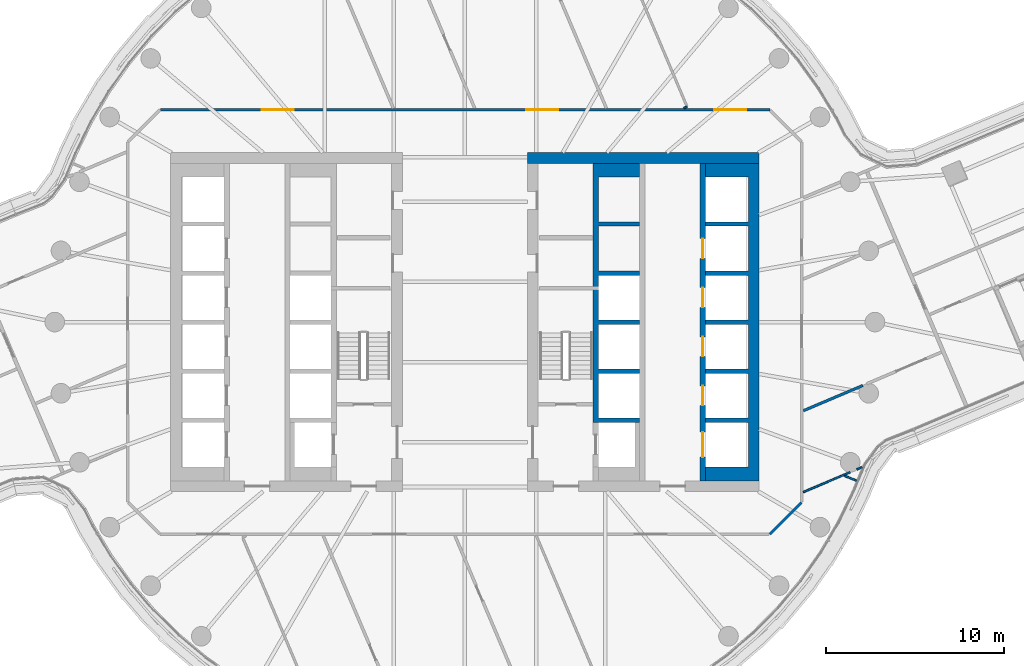
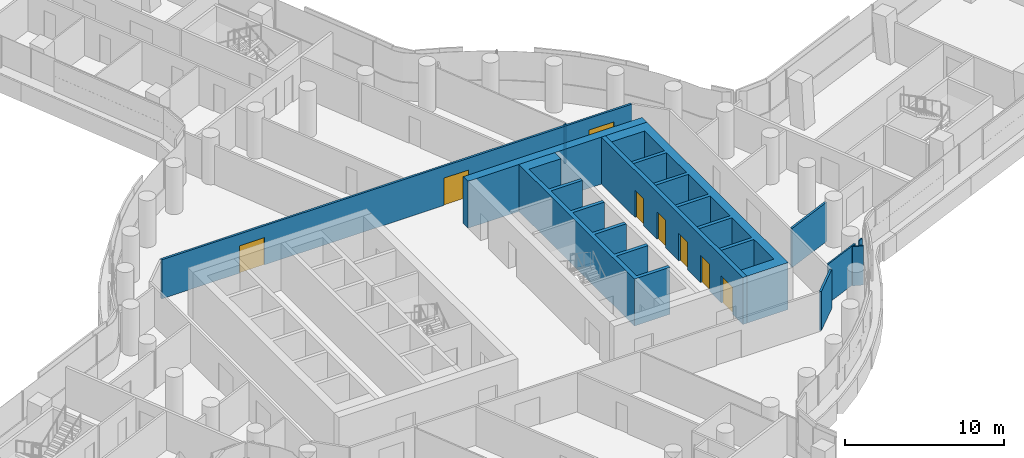
# One storey, part 24 of 35: 11 walls, 8 doors, 8 openings.
"""IFC4 building model written with IfcOpenShell, lengths in metres."""

from ifc_helpers import new_model, si_unit, direction, frame, frame_2d, origin, place, context, subcontext, project, spatial, polyline, rectangle, outline, extrude, material, layer, layer_set, type_object, element, fill, save


model = new_model("IFC4")

# Units and contexts
model_context = context("Model", 3, precision=1e-05, world=origin(), true_north=direction((0.0, 1.0)))
body_context = subcontext(model_context, "Body", "Model", "MODEL_VIEW")
ifc_project = project(units=[si_unit("LENGTHUNIT", "METRE"), si_unit("AREAUNIT", "SQUARE_METRE"), si_unit("VOLUMEUNIT", "CUBIC_METRE"), si_unit("PLANEANGLEUNIT", "RADIAN"), si_unit("MASSUNIT", "GRAM", prefix="KILO")], contexts=[model_context])

# Site, building, storey
site_placement = place(None, origin())
site = spatial("IfcSite", under=ifc_project, at=site_placement, CompositionType="ELEMENT")
building_placement = place(site_placement, origin())
building = spatial("IfcBuilding", under=site, at=building_placement, Name="Tamarind Cross Interchange Tower", CompositionType="ELEMENT")
storey_placement = place(building_placement, frame((0.0, 0.0, 117.25)))
storey = spatial("IfcBuildingStorey", under=building, at=storey_placement, Name="L28", CompositionType="ELEMENT", Elevation=117.25)

# Walls
ifc_material_1 = material(Name="Concrete C70", Category="concrete")
ifc_layer_1 = layer(ifc_material_1, 0.60009765625)
ifc_layer_set_1 = layer_set([ifc_layer_1], Name="Concrete C70")
wall_type_1 = type_object("IfcWallType", Name="Core wall 600 mm Concrete C70", PredefinedType="SHEAR", material=ifc_layer_set_1)
wall_1_placement = place(storey_placement, origin())
element("IfcWall", 1, at=wall_1_placement, inside=storey, type_object=wall_type_1, Name="Core wall CWL-L28-E-A", PredefinedType="SHEAR", context=body_context, shape_type="SweptSolid", body=[
    extrude(outline(polyline([(13.5, -8.89990234375), (15.89990234375, -8.89990234375), (16.5, -8.89990234375), (16.5, 8.89990234375), (15.89990234375, 8.89990234375), (13.5, 8.89990234375), (13.5, 8.125), (15.89990234375, 8.125), (15.89990234375, 5.625), (13.5, 5.625), (13.5, 5.375), (15.89990234375, 5.375), (15.89990234375, 2.875), (13.5, 2.875), (13.5, 2.625), (15.89990234375, 2.625), (15.89990234375, 0.125), (13.5, 0.125), (13.5, -0.125), (15.89990234375, -0.125), (15.89990234375, -2.625), (13.5, -2.625), (13.5, -2.875), (15.89990234375, -2.875), (15.89990234375, -5.375), (13.5, -5.375), (13.5, -5.625), (15.89990234375, -5.625), (15.89990234375, -8.125), (13.5, -8.125), (13.5, -8.89990234375)])), origin(), (0.0, 0.0, 1.0), 3.610107421875),
])
wall_2_placement = place(storey_placement, frame((16.5, 9.199951171875, 0.0), z_axis=(0.0, 0.0, 1.0), x_axis=(-1.0, 0.0, 0.0)))
element("IfcWall", 2, at=wall_2_placement, inside=storey, type_object=wall_type_1, Name="Core wall CWL-L28-E-NE", PredefinedType="SHEAR", context=body_context, shape_type="SweptSolid", body=[
    extrude(rectangle(XDim=13.0, YDim=0.60009765625, at=frame_2d((6.5, 0.0))), origin(), (0.0, 0.0, 1.0), 3.610107421875),
])
ifc_layer_2 = layer(ifc_material_1, 0.300048828125)
ifc_layer_set_2 = layer_set([ifc_layer_2], Name="Concrete C70")
wall_type_2 = type_object("IfcWallType", Name="Core web wall 300 mm Concrete C70", PredefinedType="SHEAR", material=ifc_layer_set_2)
wall_3_placement = place(storey_placement, origin())
element("IfcWall", 3, at=wall_3_placement, inside=storey, type_object=wall_type_2, Name="Core wall CWL-L28-E-BN", PredefinedType="SHEAR", context=body_context, shape_type="SweptSolid", body=[
    extrude(outline(polyline([(9.800048828125, -5.375), (7.5, -5.375), (7.5, -2.875), (9.800048828125, -2.875), (9.800048828125, -2.625), (7.5, -2.625), (7.5, -0.125), (9.800048828125, -0.125), (9.800048828125, 0.125), (7.5, 0.125), (7.5, 2.625), (9.800048828125, 2.625), (9.800048828125, 2.875), (7.5, 2.875), (7.5, 5.375), (9.800048828125, 5.375), (9.800048828125, 5.625), (7.5, 5.625), (7.5, 8.125), (9.800048828125, 8.125), (9.800048828125, 8.89990234375), (7.5, 8.89990234375), (7.199951171875, 8.89990234375), (7.199951171875, -5.625), (7.5, -5.625), (9.800048828125, -5.625), (9.800048828125, -5.375)])), origin(), (0.0, 0.0, 1.0), 3.610107421875),
])

# Wall, openings, doors
wall_4_placement = place(storey_placement, frame((13.35009765625, -8.89990234375, 0.0), z_axis=(0.0, 0.0, 1.0), x_axis=(0.0, 1.0, 0.0)))
wall_4 = element("IfcWall", 4, at=wall_4_placement, inside=storey, type_object=wall_type_2, Name="Core wall CWL-L28-E-LA", PredefinedType="SHEAR", context=body_context, shape_type="SweptSolid", body=[
    extrude(rectangle(XDim=17.7998046875, YDim=0.300048828125, at=frame_2d((8.89990234375, 0.0))), origin(), (0.0, 0.0, 1.0), 3.610107421875),
])
opening_1_placement = place(wall_4_placement, frame((1.324951171875, 0.0, 0.0)))
opening_1 = element("IfcOpeningElement", 5, at=opening_1_placement, cuts=wall_4, Name="Opening LD13L28", PredefinedType="OPENING", context=body_context, shape_type="SweptSolid", body=[
    extrude(rectangle(XDim=1.39990234375, YDim=2.10009765625, at=frame_2d((0.699951171875, 1.050048828125))), frame((0.0, 0.159912109375, 0.0), z_axis=(0.0, -1.0, 0.0), x_axis=(1.0, 0.0, 0.0)), (0.0, 0.0, 1.0), 0.320068359375),
])
opening_2_placement = place(wall_4_placement, frame((4.22509765625, 0.0, 0.0)))
opening_2 = element("IfcOpeningElement", 6, at=opening_2_placement, cuts=wall_4, Name="Opening LD14L28", PredefinedType="OPENING", context=body_context, shape_type="SweptSolid", body=[
    extrude(rectangle(XDim=1.10009765625, YDim=2.10009765625, at=frame_2d((0.550048828125, 1.050048828125))), frame((0.0, 0.159912109375, 0.0), z_axis=(0.0, -1.0, 0.0), x_axis=(1.0, 0.0, 0.0)), (0.0, 0.0, 1.0), 0.320068359375),
])
opening_3_placement = place(wall_4_placement, frame((6.97509765625, 0.0, 0.0)))
opening_3 = element("IfcOpeningElement", 7, at=opening_3_placement, cuts=wall_4, Name="Opening LD15L28", PredefinedType="OPENING", context=body_context, shape_type="SweptSolid", body=[
    extrude(rectangle(XDim=1.10009765625, YDim=2.10009765625, at=frame_2d((0.550048828125, 1.050048828125))), frame((0.0, 0.159912109375, 0.0), z_axis=(0.0, -1.0, 0.0), x_axis=(1.0, 0.0, 0.0)), (0.0, 0.0, 1.0), 0.320068359375),
])
opening_4_placement = place(wall_4_placement, frame((9.72509765625, 0.0, 0.0)))
opening_4 = element("IfcOpeningElement", 8, at=opening_4_placement, cuts=wall_4, Name="Opening LD16L28", PredefinedType="OPENING", context=body_context, shape_type="SweptSolid", body=[
    extrude(rectangle(XDim=1.10009765625, YDim=2.10009765625, at=frame_2d((0.550048828125, 1.050048828125))), frame((0.0, 0.159912109375, 0.0), z_axis=(0.0, -1.0, 0.0), x_axis=(1.0, 0.0, 0.0)), (0.0, 0.0, 1.0), 0.320068359375),
])
opening_5_placement = place(wall_4_placement, frame((12.47509765625, 0.0, 0.0)))
opening_5 = element("IfcOpeningElement", 9, at=opening_5_placement, cuts=wall_4, Name="Opening LD17L28", PredefinedType="OPENING", context=body_context, shape_type="SweptSolid", body=[
    extrude(rectangle(XDim=1.10009765625, YDim=2.10009765625, at=frame_2d((0.550048828125, 1.050048828125))), frame((0.0, 0.159912109375, 0.0), z_axis=(0.0, -1.0, 0.0), x_axis=(1.0, 0.0, 0.0)), (0.0, 0.0, 1.0), 0.320068359375),
])
ifc_material_2 = material(Name="Stainless steel panel", Category="steel")
door_type_1 = type_object("IfcDoorType", Name="Lift landing door 1100 x 2100 E 120", OperationType="SLIDING_TO_LEFT", PredefinedType="DOOR", material=ifc_material_2)
door_1_placement = place(opening_2_placement, origin())
door_1 = element("IfcDoor", 10, at=door_1_placement, inside=storey, type_object=door_type_1, Name="L28 landing door LF14", OperationType="SLIDING_TO_LEFT", OverallHeight=2.10009765625, OverallWidth=1.10009765625, PredefinedType="DOOR", context=body_context, shape_type="SweptSolid", body=[
    extrude(rectangle(XDim=1.10009765625, YDim=2.10009765625, at=frame_2d((0.550048828125, 1.050048828125))), frame((0.0, 0.02490234375, 0.0), z_axis=(0.0, -1.0, 0.0), x_axis=(1.0, 0.0, 0.0)), (0.0, 0.0, 1.0), 0.050048828125),
])
fill(opening_2, door_1)
door_2_placement = place(opening_3_placement, origin())
door_2 = element("IfcDoor", 11, at=door_2_placement, inside=storey, type_object=door_type_1, Name="L28 landing door LF15", OperationType="SLIDING_TO_LEFT", OverallHeight=2.10009765625, OverallWidth=1.10009765625, PredefinedType="DOOR", context=body_context, shape_type="SweptSolid", body=[
    extrude(rectangle(XDim=1.10009765625, YDim=2.10009765625, at=frame_2d((0.550048828125, 1.050048828125))), frame((0.0, 0.02490234375, 0.0), z_axis=(0.0, -1.0, 0.0), x_axis=(1.0, 0.0, 0.0)), (0.0, 0.0, 1.0), 0.050048828125),
])
fill(opening_3, door_2)
door_3_placement = place(opening_4_placement, origin())
door_3 = element("IfcDoor", 12, at=door_3_placement, inside=storey, type_object=door_type_1, Name="L28 landing door LF16", OperationType="SLIDING_TO_LEFT", OverallHeight=2.10009765625, OverallWidth=1.10009765625, PredefinedType="DOOR", context=body_context, shape_type="SweptSolid", body=[
    extrude(rectangle(XDim=1.10009765625, YDim=2.10009765625, at=frame_2d((0.550048828125, 1.050048828125))), frame((0.0, 0.02490234375, 0.0), z_axis=(0.0, -1.0, 0.0), x_axis=(1.0, 0.0, 0.0)), (0.0, 0.0, 1.0), 0.050048828125),
])
fill(opening_4, door_3)
door_4_placement = place(opening_5_placement, origin())
door_4 = element("IfcDoor", 13, at=door_4_placement, inside=storey, type_object=door_type_1, Name="L28 landing door LF17", OperationType="SLIDING_TO_LEFT", OverallHeight=2.10009765625, OverallWidth=1.10009765625, PredefinedType="DOOR", context=body_context, shape_type="SweptSolid", body=[
    extrude(rectangle(XDim=1.10009765625, YDim=2.10009765625, at=frame_2d((0.550048828125, 1.050048828125))), frame((0.0, 0.02490234375, 0.0), z_axis=(0.0, -1.0, 0.0), x_axis=(1.0, 0.0, 0.0)), (0.0, 0.0, 1.0), 0.050048828125),
])
fill(opening_5, door_4)
door_type_2 = type_object("IfcDoorType", Name="Lift landing door 1400 x 2100 E 120", OperationType="SLIDING_TO_LEFT", PredefinedType="DOOR", material=ifc_material_2)
door_5_placement = place(opening_1_placement, origin())
door_5 = element("IfcDoor", 14, at=door_5_placement, inside=storey, type_object=door_type_2, Name="L28 landing door LF13", OperationType="SLIDING_TO_LEFT", OverallHeight=2.10009765625, OverallWidth=1.39990234375, PredefinedType="DOOR", context=body_context, shape_type="SweptSolid", body=[
    extrude(rectangle(XDim=1.39990234375, YDim=2.10009765625, at=frame_2d((0.699951171875, 1.050048828125))), frame((0.0, 0.02490234375, 0.0), z_axis=(0.0, -1.0, 0.0), x_axis=(1.0, 0.0, 0.0)), (0.0, 0.0, 1.0), 0.050048828125),
])
fill(opening_1, door_5)

# Walls
ifc_material_3 = material(Name="Gypsum board partition on steel studs", Category="steel")
ifc_layer_3 = layer(ifc_material_3, 0.10009765625)
ifc_layer_set_3 = layer_set([ifc_layer_3], Name="Gypsum board partition on steel studs")
wall_type_3 = type_object("IfcWallType", Name="Partition 100 mm EI 120", PredefinedType="PARTITIONING", material=ifc_layer_set_3)
wall_5_placement = place(storey_placement, frame((12.280517578125, 12.001220703125, 0.0), z_axis=(0.0, 0.0, 1.0), x_axis=(0.920595118878, 0.390518408141, 0.0)))
element("IfcWall", 15, at=wall_5_placement, inside=storey, type_object=wall_type_3, Name="Partition L28-071", PredefinedType="PARTITIONING", context=body_context, shape_type="SweptSolid", body=[
    extrude(rectangle(XDim=0.199462890625, YDim=0.10009765625, at=frame_2d((0.099609375, 0.0))), origin(), (0.0, 0.0, 1.0), 3.010009765625),
])
ifc_layer_4 = layer(ifc_material_3, 0.10009765625)
ifc_layer_set_4 = layer_set([ifc_layer_4], Name="Gypsum board partition on steel studs")
wall_type_4 = type_object("IfcWallType", Name="Partition 100 mm EI 90", PredefinedType="PARTITIONING", material=ifc_layer_set_4)
wall_6_placement = place(storey_placement, frame((21.307373046875, -8.626708984375, 0.0), z_axis=(0.0, 0.0, 1.0), x_axis=(0.926918170947, -0.375263513238, 0.0)))
element("IfcWall", 16, at=wall_6_placement, inside=storey, type_object=wall_type_4, Name="Partition L28-036", PredefinedType="PARTITIONING", context=body_context, shape_type="SweptSolid", body=[
    extrude(rectangle(XDim=0.705810546875, YDim=0.10009765625, at=frame_2d((0.35302734375, 0.0))), origin(), (0.0, 0.0, 1.0), 3.010009765625),
])
wall_7_placement = place(storey_placement, frame((18.978271484375, -9.536865234375, 0.0), z_axis=(0.0, 0.0, 1.0), x_axis=(0.920657329296, 0.390371722866, 0.0)))
element("IfcWall", 17, at=wall_7_placement, inside=storey, type_object=wall_type_4, Name="Partition L28-072", PredefinedType="PARTITIONING", context=body_context, shape_type="SweptSolid", body=[
    extrude(rectangle(XDim=2.851318359375, YDim=0.10009765625, at=frame_2d((1.42578125, 0.0))), origin(), (0.0, 0.0, 1.0), 3.010009765625),
])
wall_8_placement = place(storey_placement, frame((21.980224609375, -8.263916015625, 0.0), z_axis=(0.0, 0.0, 1.0), x_axis=(0.92075636917, 0.390138063554, 0.0)))
element("IfcWall", 18, at=wall_8_placement, inside=storey, type_object=wall_type_4, Name="Partition L28-073", PredefinedType="PARTITIONING", context=body_context, shape_type="SweptSolid", body=[
    extrude(rectangle(XDim=0.31982421875, YDim=0.10009765625, at=frame_2d((0.159912109375, 0.0))), origin(), (0.0, 0.0, 1.0), 3.010009765625),
])

# Wall, openings, doors
ifc_layer_5 = layer(ifc_material_3, 0.14990234375)
ifc_layer_set_5 = layer_set([ifc_layer_5], Name="Gypsum board partition on steel studs")
wall_type_5 = type_object("IfcWallType", Name="Partition 150 mm EI 120", PredefinedType="PARTITIONING", material=ifc_layer_set_5)
wall_9_placement = place(storey_placement, frame((-17.06494140625, 11.89990234375, 0.0), z_axis=(0.0, 0.0, 1.0), x_axis=(1.0, 0.0, 0.0)))
wall_9 = element("IfcWall", 19, at=wall_9_placement, inside=storey, type_object=wall_type_5, Name="Partition L28-038", PredefinedType="PARTITIONING", context=body_context, shape_type="SweptSolid", body=[
    extrude(rectangle(XDim=34.1650390625, YDim=0.14990234375, at=frame_2d((17.08251953125, 0.0))), origin(), (0.0, 0.0, 1.0), 3.010009765625),
])
opening_6_placement = place(wall_9_placement, frame((20.506103515625, 0.0, 0.0)))
opening_6 = element("IfcOpeningElement", 20, at=opening_6_placement, cuts=wall_9, Name="Opening D25", PredefinedType="OPENING", context=body_context, shape_type="SweptSolid", body=[
    extrude(rectangle(XDim=1.800048828125, YDim=2.10009765625, at=frame_2d((0.89990234375, 1.050048828125))), frame((0.0, 0.0849609375, 0.0), z_axis=(0.0, -1.0, 0.0), x_axis=(1.0, 0.0, 0.0)), (0.0, 0.0, 1.0), 0.169921875),
])
opening_7_placement = place(wall_9_placement, frame((31.055908203125, 0.0, 0.0)))
opening_7 = element("IfcOpeningElement", 21, at=opening_7_placement, cuts=wall_9, Name="Opening D26", PredefinedType="OPENING", context=body_context, shape_type="SweptSolid", body=[
    extrude(rectangle(XDim=1.800048828125, YDim=2.10009765625, at=frame_2d((0.89990234375, 1.050048828125))), frame((0.0, 0.0849609375, 0.0), z_axis=(0.0, -1.0, 0.0), x_axis=(1.0, 0.0, 0.0)), (0.0, 0.0, 1.0), 0.169921875),
])
opening_8_placement = place(wall_9_placement, frame((5.6650390625, 0.0, 0.0)))
opening_8 = element("IfcOpeningElement", 22, at=opening_8_placement, cuts=wall_9, Name="Opening D27", PredefinedType="OPENING", context=body_context, shape_type="SweptSolid", body=[
    extrude(rectangle(XDim=1.800048828125, YDim=2.10009765625, at=frame_2d((0.89990234375, 1.050048828125))), frame((0.0, 0.0849609375, 0.0), z_axis=(0.0, -1.0, 0.0), x_axis=(1.0, 0.0, 0.0)), (0.0, 0.0, 1.0), 0.169921875),
])
ifc_material_4 = material(Name="Fire-resisting door set")
door_type_3 = type_object("IfcDoorType", Name="Interior door 1800 x 2100 FD60S", OperationType="DOUBLE_DOOR_SINGLE_SWING", PredefinedType="DOOR", material=ifc_material_4)
door_6_placement = place(opening_6_placement, frame((1.800048828125, 0.0, 0.0), z_axis=(0.0, 0.0, 1.0), x_axis=(-1.0, 0.0, 0.0)))
door_6 = element("IfcDoor", 23, at=door_6_placement, inside=storey, type_object=door_type_3, Name="Door D25", OperationType="DOUBLE_DOOR_SINGLE_SWING", OverallHeight=2.10009765625, OverallWidth=1.800048828125, PredefinedType="DOOR", context=body_context, shape_type="SweptSolid", body=[
    extrude(rectangle(XDim=1.800048828125, YDim=2.10009765625, at=frame_2d((0.89990234375, 1.050048828125))), frame((0.0, 0.02490234375, 0.0), z_axis=(0.0, -1.0, 0.0), x_axis=(1.0, 0.0, 0.0)), (0.0, 0.0, 1.0), 0.050048828125),
])
fill(opening_6, door_6)
door_7_placement = place(opening_7_placement, origin())
door_7 = element("IfcDoor", 24, at=door_7_placement, inside=storey, type_object=door_type_3, Name="Door D26", OperationType="DOUBLE_DOOR_SINGLE_SWING", OverallHeight=2.10009765625, OverallWidth=1.800048828125, PredefinedType="DOOR", context=body_context, shape_type="SweptSolid", body=[
    extrude(rectangle(XDim=1.800048828125, YDim=2.10009765625, at=frame_2d((0.89990234375, 1.050048828125))), frame((0.0, 0.02490234375, 0.0), z_axis=(0.0, -1.0, 0.0), x_axis=(1.0, 0.0, 0.0)), (0.0, 0.0, 1.0), 0.050048828125),
])
fill(opening_7, door_7)
door_8_placement = place(opening_8_placement, origin())
door_8 = element("IfcDoor", 25, at=door_8_placement, inside=storey, type_object=door_type_3, Name="Door D27", OperationType="DOUBLE_DOOR_SINGLE_SWING", OverallHeight=2.10009765625, OverallWidth=1.800048828125, PredefinedType="DOOR", context=body_context, shape_type="SweptSolid", body=[
    extrude(rectangle(XDim=1.800048828125, YDim=2.10009765625, at=frame_2d((0.89990234375, 1.050048828125))), frame((0.0, 0.02490234375, 0.0), z_axis=(0.0, -1.0, 0.0), x_axis=(1.0, 0.0, 0.0)), (0.0, 0.0, 1.0), 0.050048828125),
])
fill(opening_8, door_8)

# Walls
wall_10_placement = place(storey_placement, frame((18.987548828125, -4.970947265625, 0.0), z_axis=(0.0, 0.0, 1.0), x_axis=(0.920588387511, 0.390534276063, 0.0)))
element("IfcWall", 26, at=wall_10_placement, inside=storey, type_object=wall_type_5, Name="Partition L28-074", PredefinedType="PARTITIONING", context=body_context, shape_type="SweptSolid", body=[
    extrude(rectangle(XDim=3.6240234375, YDim=0.14990234375, at=frame_2d((1.81201171875, 0.0))), origin(), (0.0, 0.0, 1.0), 3.010009765625),
])
wall_11_placement = place(storey_placement, frame((17.10009765625, -11.89990234375, 0.0), z_axis=(0.0, 0.0, 1.0), x_axis=(0.707106781187, 0.707106781187, 0.0)))
element("IfcWall", 27, at=wall_11_placement, inside=storey, type_object=wall_type_5, Name="Partition L28-084", PredefinedType="PARTITIONING", context=body_context, shape_type="SweptSolid", body=[
    extrude(rectangle(XDim=2.50537109375, YDim=0.14990234375, at=frame_2d((1.252685546875, 0.0))), origin(), (0.0, 0.0, 1.0), 3.010009765625),
])

save(model, "model.ifc")
